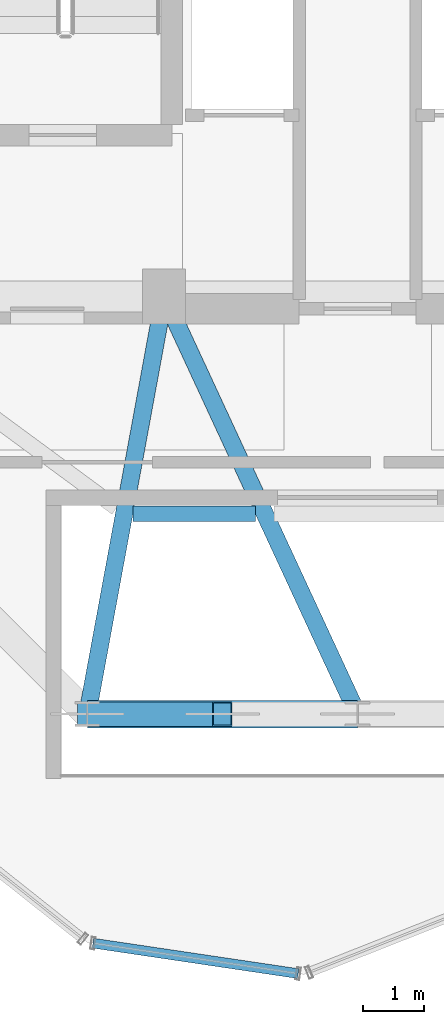
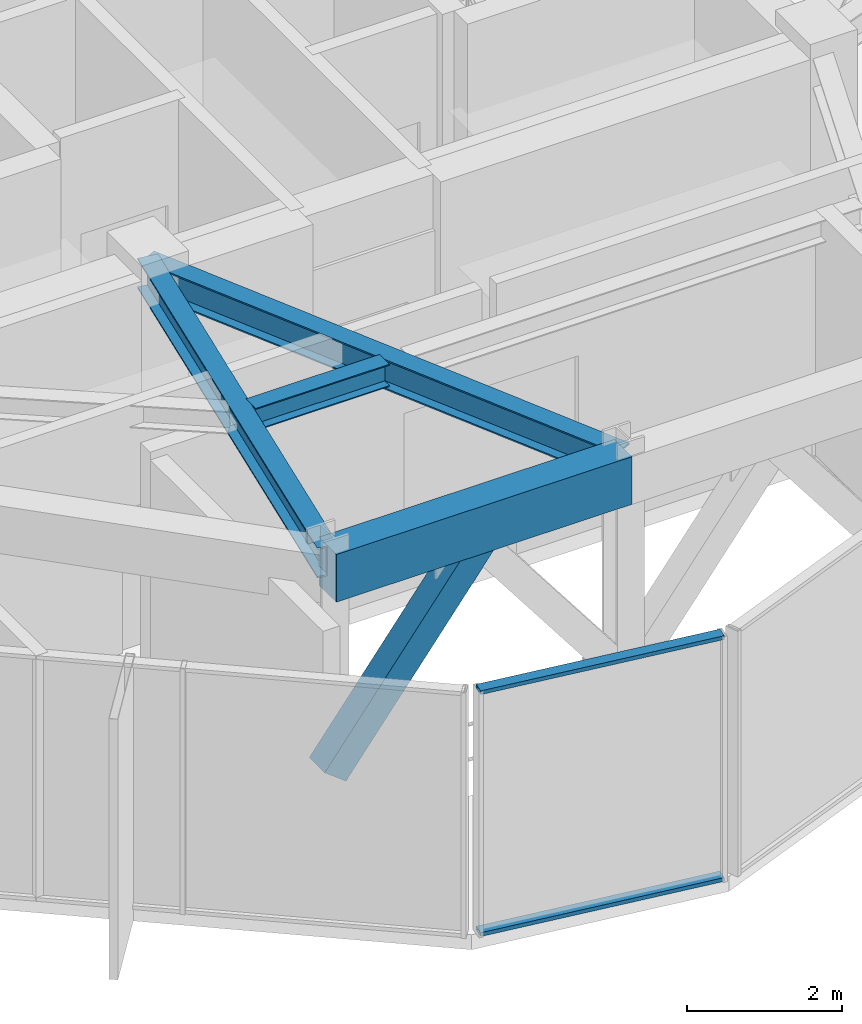
# One storey, part 3 of 22: 4 beams, 3 members, 1 element without a shape of its own.
"""IFC4 building model written with IfcOpenShell, lengths in metres."""

from ifc_helpers import new_model, si_unit, direction, frame, origin, origin_2d, place, context, subcontext, project, spatial, rectangle, hollow_rectangle, i_section, extrude, source, transform, mapped, material, layer, layer_set, material_profile, profile_set, type_object, element, aggregate, save


model = new_model("IFC4")

# Units and contexts
model_context = context("Model", 3, precision=1e-05, world=origin(), true_north=direction((0.0, 1.0)))
body_context = subcontext(model_context, "Body", "Model", "MODEL_VIEW")
ifc_project = project(units=[si_unit("LENGTHUNIT", "METRE"), si_unit("AREAUNIT", "SQUARE_METRE"), si_unit("VOLUMEUNIT", "CUBIC_METRE"), si_unit("PLANEANGLEUNIT", "RADIAN"), si_unit("MASSUNIT", "GRAM", prefix="KILO")], contexts=[model_context])

# Site, building, storey
site_placement = place(None, origin())
site = spatial("IfcSite", under=ifc_project, at=site_placement, CompositionType="ELEMENT")
building_placement = place(site_placement, origin())
building = spatial("IfcBuilding", under=site, at=building_placement, Name="Veraguas Prism Commons", CompositionType="ELEMENT")
storey_placement = place(building_placement, frame((0.0, 0.0, 236.550048828125)))
storey = spatial("IfcBuildingStorey", under=building, at=storey_placement, Name="L67", CompositionType="ELEMENT", Elevation=236.550048828125)

# Beams
ifc_material_1 = material(Name="Concrete C50/60", Category="concrete")
ifc_material_profile_1 = material_profile(ifc_material_1, rectangle(XDim=0.449951171875, YDim=0.75, at=origin_2d()), Name="RC450X750")
ifc_profile_set_1 = profile_set([ifc_material_profile_1], Name="Concrete C50/60")
beam_type_1 = type_object("IfcBeamType", Name="Perimeter Spandrel Upper RC 450x750", PredefinedType="SPANDREL", material=ifc_profile_set_1)
beam_1_placement = place(storey_placement, frame((19.60009765625, 10.199951171875, 3.489990234375), z_axis=(1.0, 0.0, 0.0), x_axis=(0.0, 1.0, 0.0)))
element("IfcBeam", 1, at=beam_1_placement, inside=storey, type_object=beam_type_1, Name="Perimeter Spandrel Beam L67-SP10", PredefinedType="SPANDREL", context=body_context, shape_type="SweptSolid", body=[
    extrude(rectangle(XDim=0.449951171875, YDim=0.75, at=origin_2d()), origin(), (0.0, 0.0, 1.0), 4.39990234375),
])
ifc_material_2 = material(Name="Steel ASTM A992 Grade 50", Category="steel")
ifc_material_profile_2 = material_profile(ifc_material_2, i_section(OverallWidth=0.25390625, OverallDepth=0.35302734375, WebThickness=0.009521484375, FlangeThickness=0.016357421875, at=origin_2d()), Name="W360X91")
ifc_profile_set_2 = profile_set([ifc_material_profile_2], Name="Steel ASTM A992 Grade 50")
beam_type_2 = type_object("IfcBeamType", Name="Upper Floor Joist W360x91", PredefinedType="JOIST", material=ifc_profile_set_2)
beam_2_placement = place(storey_placement, frame((20.341796875, 13.464111328125, 3.6884765625), z_axis=(1.0, 0.0, 0.0), x_axis=(0.0, 1.0, 0.0)))
element("IfcBeam", 2, at=beam_2_placement, inside=storey, type_object=beam_type_2, Name="Composite Floor Joist L67-JS10", PredefinedType="JOIST", context=body_context, shape_type="SweptSolid", body=[
    extrude(i_section(OverallWidth=0.25390625, OverallDepth=0.35302734375, WebThickness=0.009521484375, FlangeThickness=0.016357421875, at=origin_2d()), origin(), (0.0, 0.0, 1.0), 1.992431640625),
])

# Member
ifc_material_3 = material(Name="Steel ASTM A500 Grade C", Category="steel")
ifc_material_profile_3 = material_profile(ifc_material_3, hollow_rectangle(XDim=0.39990234375, YDim=0.39990234375, WallThickness=0.02001953125, at=origin_2d()), Name="HSS400X400X20")
ifc_profile_set_3 = profile_set([ifc_material_profile_3], Name="Steel ASTM A500 Grade C")
member_type_1 = type_object("IfcMemberType", Name="Wind Portal V-Brace HSS 400x400x20", PredefinedType="BRACE", material=ifc_profile_set_3)
member_1_placement = place(storey_placement, frame((19.60009765625, 10.199951171875, 0.349853515625), z_axis=(0.609034408939, 0.0, 0.793143800788), x_axis=(0.0, 1.0, 0.0)))
element("IfcMember", 3, at=member_1_placement, inside=storey, type_object=member_type_1, Name="Wind Portal Frame Brace L67-01A", PredefinedType="BRACE", context=body_context, shape_type="SweptSolid", body=[
    extrude(hollow_rectangle(XDim=0.39990234375, YDim=0.39990234375, WallThickness=0.02001953125, at=origin_2d()), origin(), (0.0, 0.0, 1.0), 3.6123046875),
])

# Beams
ifc_material_profile_4 = material_profile(ifc_material_2, i_section(OverallWidth=0.282958984375, OverallDepth=0.471923828125, WebThickness=0.013671875, FlangeThickness=0.022216796875, at=origin_2d()), Name="W460X144")
ifc_profile_set_4 = profile_set([ifc_material_profile_4], Name="Steel ASTM A992 Grade 50")
beam_type_3 = type_object("IfcBeamType", Name="Zone 4 Radial Girder W460x144", PredefinedType="BEAM", material=ifc_profile_set_4)
beam_3_placement = place(storey_placement, frame((19.60009765625, 10.199951171875, 3.62890625), z_axis=(0.180793033327, 0.983521163524, 0.0), x_axis=(-0.983521163524, 0.180793033327, 0.0)))
element("IfcBeam", 4, at=beam_3_placement, inside=storey, type_object=beam_type_3, Name="Radial Floor Girder L67-RD10", PredefinedType="BEAM", context=body_context, shape_type="SweptSolid", body=[
    extrude(i_section(OverallWidth=0.282958984375, OverallDepth=0.471923828125, WebThickness=0.013671875, FlangeThickness=0.022216796875, at=origin_2d()), origin(), (0.0, 0.0, 1.0), 6.9140625),
])
beam_4_placement = place(storey_placement, frame((24.0, 10.199951171875, 3.62890625), z_axis=(-0.420313834543, 0.907378796585, 0.0), x_axis=(-0.907378796585, -0.420313834543, 0.0)))
element("IfcBeam", 5, at=beam_4_placement, inside=storey, type_object=beam_type_3, Name="Radial Floor Girder L67-RD11", PredefinedType="BEAM", context=body_context, shape_type="SweptSolid", body=[
    extrude(i_section(OverallWidth=0.282958984375, OverallDepth=0.471923828125, WebThickness=0.013671875, FlangeThickness=0.022216796875, at=origin_2d()), origin(), (0.0, 0.0, 1.0), 7.494140625),
])

# Curtain wall, members
ifc_material_4 = material(Name="Anodised aluminium EN AW-6063 T6", Category="aluminium")
ifc_layer = layer(ifc_material_4, 0.199951171875, Name="Sky Lobby and Pool Acoustic Curtain Wall", Category="aluminium")
ifc_layer_set = layer_set([ifc_layer], Name="Anodised aluminium EN AW-6063 T6")
curtain_wall_type = type_object("IfcCurtainWallType", Name="Sky Lobby and Pool Acoustic Curtain Wall", PredefinedType="NOTDEFINED", material=ifc_layer_set)
curtain_wall_placement = place(storey_placement, origin())
curtain_wall = element("IfcCurtainWall", 6, at=curtain_wall_placement, inside=storey, type_object=curtain_wall_type, Name="Chamfer Curtain Wall L67-C5", PredefinedType="NOTDEFINED")
ifc_material_profile_5 = material_profile(ifc_material_4, hollow_rectangle(XDim=0.06005859375, YDim=0.159912109375, WallThickness=0.0029296875, at=origin_2d()), Name="AL60X160X3")
ifc_profile_set_5 = profile_set([ifc_material_profile_5], Name="Anodised aluminium EN AW-6063 T6")
member_type_2 = type_object("IfcMemberType", Name="Curtain Wall Transom Heavy AL 60x160x3", PredefinedType="USERDEFINED", material=ifc_profile_set_5)
shared_shape = source(origin(), body_context, "Body", "SweptSolid", [
    extrude(hollow_rectangle(XDim=0.06005859375, YDim=0.159912109375, WallThickness=0.0029296875, at=origin_2d()), origin(), (0.0, 0.0, 1.0), 3.37744140625),
])
member_2_placement = place(storey_placement, frame((19.69189453125, 6.470947265625, 0.030029296875), z_axis=(0.989164227475, -0.146813252412, 0.0), x_axis=(0.0, 0.0, 1.0)))
member_2 = element("IfcMember", 7, at=member_2_placement, type_object=member_type_2, Name="CW-SKY Transom 1", ObjectType="TRANSOM", PredefinedType="USERDEFINED", context=body_context, shape_type="MappedRepresentation", body=[
    mapped(shared_shape, transform((0.0, 0.0, 0.0), scale=1.0)),
])
member_3_placement = place(storey_placement, frame((19.69189453125, 6.470947265625, 3.8349609375), z_axis=(0.989164227475, -0.146813252412, 0.0), x_axis=(0.0, 0.0, 1.0)))
member_3 = element("IfcMember", 8, at=member_3_placement, type_object=member_type_2, Name="CW-SKY Transom 2", ObjectType="TRANSOM", PredefinedType="USERDEFINED", context=body_context, shape_type="MappedRepresentation", body=[
    mapped(shared_shape, transform((0.0, 0.0, 0.0), scale=1.0)),
])
aggregate(curtain_wall, [member_2, member_3])

save(model, "model.ifc")
